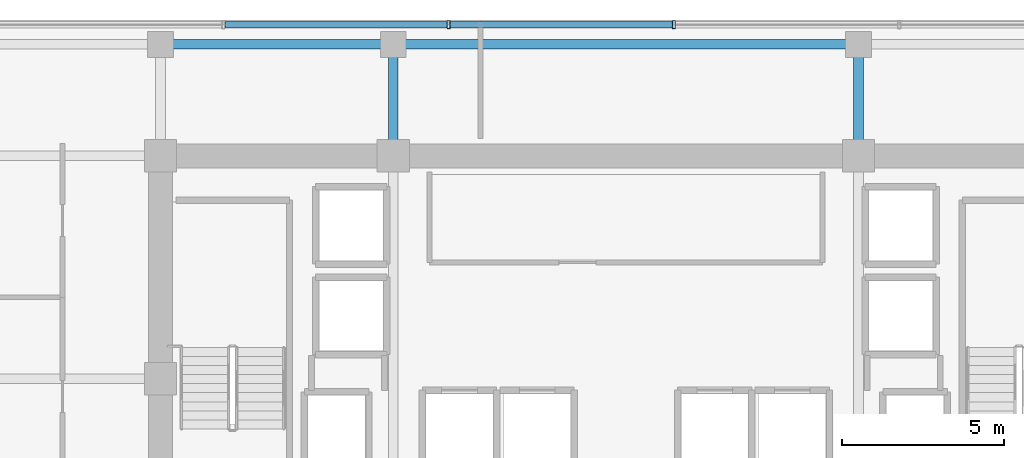
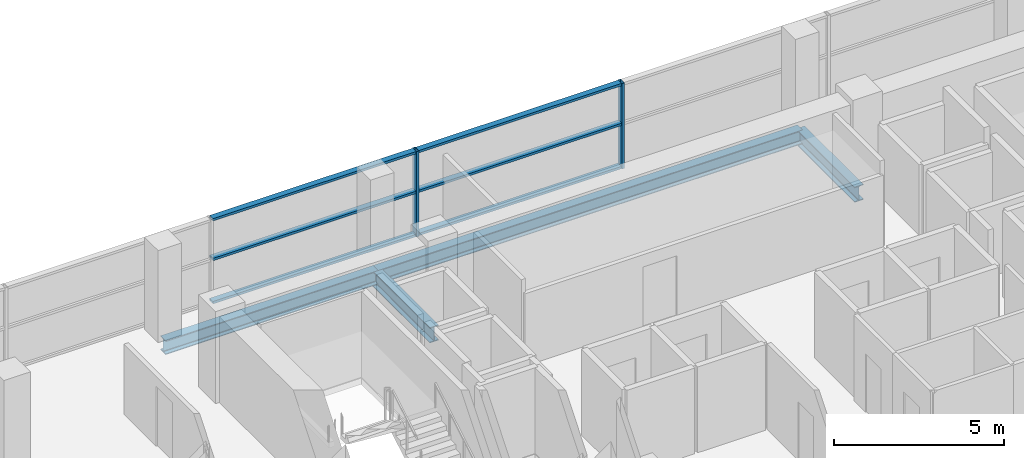
# One storey, part 16 of 28: 8 members, 4 beams, 1 element without a shape of its own.
"""IFC4 building model written with IfcOpenShell, lengths in metres."""

from ifc_helpers import new_model, si_unit, direction, frame, origin, origin_2d, place, context, subcontext, project, spatial, hollow_rectangle, i_section, extrude, source, transform, mapped, material, layer, layer_set, material_profile, profile_set, type_object, element, aggregate, save


model = new_model("IFC4")

# Units and contexts
model_context = context("Model", 3, precision=1e-05, world=origin(), true_north=direction((0.0, 1.0)))
body_context = subcontext(model_context, "Body", "Model", "MODEL_VIEW")
ifc_project = project(units=[si_unit("LENGTHUNIT", "METRE"), si_unit("AREAUNIT", "SQUARE_METRE"), si_unit("VOLUMEUNIT", "CUBIC_METRE"), si_unit("PLANEANGLEUNIT", "RADIAN"), si_unit("MASSUNIT", "GRAM", prefix="KILO")], contexts=[model_context])

# Site, building, storey
site_placement = place(None, origin())
site = spatial("IfcSite", under=ifc_project, at=site_placement, CompositionType="ELEMENT")
building_placement = place(site_placement, origin())
building = spatial("IfcBuilding", under=site, at=building_placement, Name="Zarnakvel Exchange Tower", CompositionType="ELEMENT")
storey_placement = place(building_placement, frame((0.0, 0.0, 109.89990234375)))
storey = spatial("IfcBuildingStorey", under=building, at=storey_placement, Name="L30", CompositionType="ELEMENT", Elevation=109.89990234375)

# Beams
ifc_material_1 = material(Name="Steel S355", Category="steel")
ifc_material_profile_1 = material_profile(ifc_material_1, i_section(OverallWidth=0.300048828125, OverallDepth=0.550048828125, WebThickness=0.014892578125, FlangeThickness=0.029052734375, FilletRadius=0.027099609375, at=origin_2d()))
ifc_profile_set_1 = profile_set([ifc_material_profile_1], Name="Steel S355")
beam_type_1 = type_object("IfcBeamType", Name="G-05", PredefinedType="BEAM", material=ifc_profile_set_1)
for number, where, z_axis, x_axis, name in (
    (1, (-7.199951171875, 13.5, -0.5), (0.0, 1.0, 0.0), (-1.0, 0.0, 0.0), "L30 Tower N-S Frame Beam"),
    (2, (7.199951171875, 13.5, -0.5), (0.0, 1.0, 0.0), (-1.0, 0.0, 0.0), "L30 Tower N-S Frame Beam"),
):
    element("IfcBeam", number, at=place(storey_placement, frame(where, z_axis=z_axis, x_axis=x_axis)), inside=storey, type_object=beam_type_1, Name=name, PredefinedType="BEAM", context=body_context, shape_type="SweptSolid", body=[
        extrude(i_section(OverallWidth=0.300048828125, OverallDepth=0.550048828125, WebThickness=0.014892578125, FlangeThickness=0.029052734375, FilletRadius=0.027099609375, at=origin_2d()), origin(), (0.0, 0.0, 1.0), 3.449951171875),
    ])
ifc_material_profile_2 = material_profile(ifc_material_1, i_section(OverallWidth=0.300048828125, OverallDepth=0.5, WebThickness=0.014404296875, FlangeThickness=0.028076171875, FilletRadius=0.027099609375, at=origin_2d()))
ifc_profile_set_2 = profile_set([ifc_material_profile_2], Name="Steel S355")
beam_type_2 = type_object("IfcBeamType", Name="SP-02", PredefinedType="SPANDREL", material=ifc_profile_set_2)
beam_1_placement = place(storey_placement, frame((-14.39990234375, 16.949951171875, -0.474853515625), z_axis=(1.0, 0.0, 0.0), x_axis=(0.0, 1.0, 0.0)))
element("IfcBeam", 3, at=beam_1_placement, inside=storey, type_object=beam_type_2, Name="L30 Tower E-W Frame Beam", PredefinedType="SPANDREL", context=body_context, shape_type="SweptSolid", body=[
    extrude(i_section(OverallWidth=0.300048828125, OverallDepth=0.5, WebThickness=0.014404296875, FlangeThickness=0.028076171875, FilletRadius=0.027099609375, at=origin_2d()), origin(), (0.0, 0.0, 1.0), 7.199951171875),
])
beam_2_placement = place(storey_placement, frame((-7.199951171875, 16.949951171875, -0.474853515625), z_axis=(1.0, 0.0, 0.0), x_axis=(0.0, 1.0, 0.0)))
element("IfcBeam", 4, at=beam_2_placement, inside=storey, type_object=beam_type_2, Name="L30 Tower E-W Frame Beam", PredefinedType="SPANDREL", context=body_context, shape_type="SweptSolid", body=[
    extrude(i_section(OverallWidth=0.300048828125, OverallDepth=0.5, WebThickness=0.014404296875, FlangeThickness=0.028076171875, FilletRadius=0.027099609375, at=origin_2d()), origin(), (0.0, 0.0, 1.0), 14.39990234375),
])

# Curtain wall, members
ifc_material_2 = material(Name="Architectural Bronze Anodised Aluminium", Category="aluminium")
ifc_layer = layer(ifc_material_2, 0.239990234375)
ifc_layer_set = layer_set([ifc_layer], Name="Architectural Bronze Anodised Aluminium")
curtain_wall_type = type_object("IfcCurtainWallType", Name="CW-02", PredefinedType="NOTDEFINED", material=ifc_layer_set)
curtain_wall_placement = place(storey_placement, origin())
curtain_wall = element("IfcCurtainWall", 5, at=curtain_wall_placement, inside=storey, type_object=curtain_wall_type, Name="L30 Curtain Wall CW-L30-N1 (CW-02)", PredefinedType="NOTDEFINED")
ifc_material_profile_3 = material_profile(ifc_material_2, hollow_rectangle(XDim=0.239990234375, YDim=0.090087890625, WallThickness=0.006103515625, at=origin_2d()))
ifc_profile_set_3 = profile_set([ifc_material_profile_3], Name="Architectural Bronze Anodised Aluminium")
member_type_1 = type_object("IfcMemberType", Name="CWM-02", PredefinedType="MULLION", material=ifc_profile_set_3)
shared_shape_1 = source(origin(), body_context, "Body", "SweptSolid", [
    extrude(hollow_rectangle(XDim=0.239990234375, YDim=0.090087890625, WallThickness=0.006103515625, at=origin_2d()), origin(), (0.0, 0.0, 1.0), 3.05517578125),
])
member_1_placement = place(storey_placement, frame((-5.485595703125, 17.56005859375, 0.0), z_axis=(0.0, 0.0, 1.0), x_axis=(0.0, 1.0, 0.0)))
member_1 = element("IfcMember", 6, at=member_1_placement, type_object=member_type_1, Name="CW-02 mullion 4", PredefinedType="MULLION", context=body_context, shape_type="MappedRepresentation", body=[
    mapped(shared_shape_1, transform((0.0, 0.0, 0.0), x_axis=(1.0, 0.0, 0.0), y_axis=(0.0, 1.0, 0.0), z_axis=(0.0, 0.0, 1.0), scale=1.0)),
])
member_2_placement = place(storey_placement, frame((1.485595703125, 17.56005859375, 0.0), z_axis=(0.0, 0.0, 1.0), x_axis=(0.0, 1.0, 0.0)))
member_2 = element("IfcMember", 7, at=member_2_placement, type_object=member_type_1, Name="CW-02 mullion 5", PredefinedType="MULLION", context=body_context, shape_type="MappedRepresentation", body=[
    mapped(shared_shape_1, transform((0.0, 0.0, 0.0), x_axis=(1.0, 0.0, 0.0), y_axis=(0.0, 1.0, 0.0), z_axis=(0.0, 0.0, 1.0), scale=1.0)),
])
ifc_material_profile_4 = material_profile(ifc_material_2, hollow_rectangle(XDim=0.199951171875, YDim=0.0849609375, WallThickness=0.0048828125, at=origin_2d()))
ifc_profile_set_4 = profile_set([ifc_material_profile_4], Name="Architectural Bronze Anodised Aluminium")
member_type_2 = type_object("IfcMemberType", Name="CWT-02", PredefinedType="USERDEFINED", material=ifc_profile_set_4)
shared_shape_2 = source(origin(), body_context, "Body", "SweptSolid", [
    extrude(hollow_rectangle(XDim=0.199951171875, YDim=0.0849609375, WallThickness=0.0048828125, at=origin_2d()), origin(), (0.0, 0.0, 1.0), 6.88134765625),
])
member_3_placement = place(storey_placement, frame((-12.412109375, 17.56005859375, 0.04248046875), z_axis=(1.0, 0.0, 0.0), x_axis=(0.0, 1.0, 0.0)))
member_3 = element("IfcMember", 8, at=member_3_placement, type_object=member_type_2, Name="CW-02 transom 3.1", ObjectType="TRANSOM", PredefinedType="USERDEFINED", context=body_context, shape_type="MappedRepresentation", body=[
    mapped(shared_shape_2, transform((0.0, 0.0, 0.0), x_axis=(1.0, 0.0, 0.0), y_axis=(0.0, 1.0, 0.0), z_axis=(0.0, 0.0, 1.0), scale=1.0)),
])
member_4_placement = place(storey_placement, frame((-12.412109375, 17.56005859375, 1.588623046875), z_axis=(1.0, 0.0, 0.0), x_axis=(0.0, 1.0, 0.0)))
member_4 = element("IfcMember", 9, at=member_4_placement, type_object=member_type_2, Name="CW-02 transom 3.2", ObjectType="TRANSOM", PredefinedType="USERDEFINED", context=body_context, shape_type="MappedRepresentation", body=[
    mapped(shared_shape_2, transform((0.0, 0.0, 0.0), x_axis=(1.0, 0.0, 0.0), y_axis=(0.0, 1.0, 0.0), z_axis=(0.0, 0.0, 1.0), scale=1.0)),
])
member_5_placement = place(storey_placement, frame((-12.412109375, 17.56005859375, 3.0126953125), z_axis=(1.0, 0.0, 0.0), x_axis=(0.0, 1.0, 0.0)))
member_5 = element("IfcMember", 10, at=member_5_placement, type_object=member_type_2, Name="CW-02 transom 3.3", ObjectType="TRANSOM", PredefinedType="USERDEFINED", context=body_context, shape_type="MappedRepresentation", body=[
    mapped(shared_shape_2, transform((0.0, 0.0, 0.0), x_axis=(1.0, 0.0, 0.0), y_axis=(0.0, 1.0, 0.0), z_axis=(0.0, 0.0, 1.0), scale=1.0)),
])
member_6_placement = place(storey_placement, frame((-5.440673828125, 17.56005859375, 0.04248046875), z_axis=(1.0, 0.0, 0.0), x_axis=(0.0, 1.0, 0.0)))
member_6 = element("IfcMember", 11, at=member_6_placement, type_object=member_type_2, Name="CW-02 transom 4.1", ObjectType="TRANSOM", PredefinedType="USERDEFINED", context=body_context, shape_type="MappedRepresentation", body=[
    mapped(shared_shape_2, transform((0.0, 0.0, 0.0), x_axis=(1.0, 0.0, 0.0), y_axis=(0.0, 1.0, 0.0), z_axis=(0.0, 0.0, 1.0), scale=1.0)),
])
member_7_placement = place(storey_placement, frame((-5.440673828125, 17.56005859375, 1.588623046875), z_axis=(1.0, 0.0, 0.0), x_axis=(0.0, 1.0, 0.0)))
member_7 = element("IfcMember", 12, at=member_7_placement, type_object=member_type_2, Name="CW-02 transom 4.2", ObjectType="TRANSOM", PredefinedType="USERDEFINED", context=body_context, shape_type="MappedRepresentation", body=[
    mapped(shared_shape_2, transform((0.0, 0.0, 0.0), x_axis=(1.0, 0.0, 0.0), y_axis=(0.0, 1.0, 0.0), z_axis=(0.0, 0.0, 1.0), scale=1.0)),
])
member_8_placement = place(storey_placement, frame((-5.440673828125, 17.56005859375, 3.0126953125), z_axis=(1.0, 0.0, 0.0), x_axis=(0.0, 1.0, 0.0)))
member_8 = element("IfcMember", 13, at=member_8_placement, type_object=member_type_2, Name="CW-02 transom 4.3", ObjectType="TRANSOM", PredefinedType="USERDEFINED", context=body_context, shape_type="MappedRepresentation", body=[
    mapped(shared_shape_2, transform((0.0, 0.0, 0.0), x_axis=(1.0, 0.0, 0.0), y_axis=(0.0, 1.0, 0.0), z_axis=(0.0, 0.0, 1.0), scale=1.0)),
])
aggregate(curtain_wall, [member_1, member_2, member_3, member_4, member_5, member_6, member_7, member_8])

save(model, "model.ifc")
